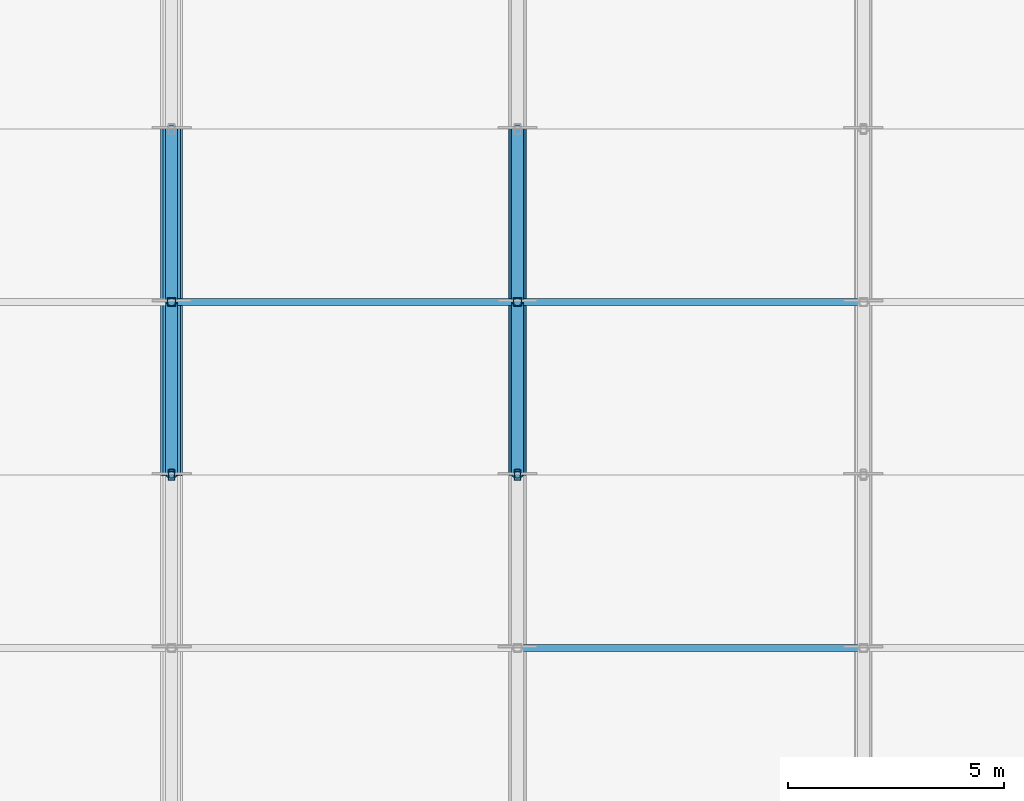
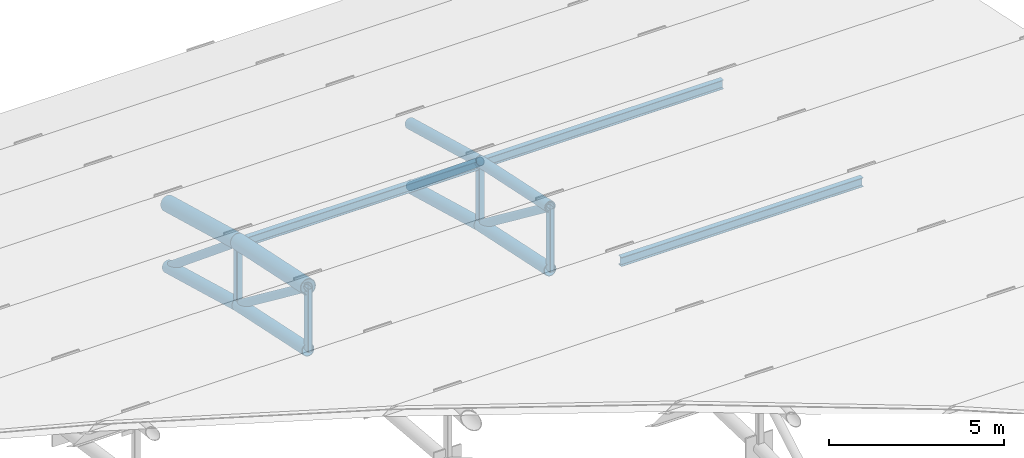
# One storey, part 52 of 98: 19 members.
"""IFC4 building model written with IfcOpenShell, lengths in metres."""

from ifc_helpers import new_model, si_unit, direction, frame, origin, origin_2d, place, context, subcontext, project, spatial, hollow_rectangle, hollow_circle, i_section, extrude, material, material_profile, profile_set, type_object, element, save


model = new_model("IFC4")

# Units and contexts
model_context = context("Model", 3, precision=1e-05, world=origin(), true_north=direction((0.0, 1.0)))
body_context = subcontext(model_context, "Body", "Model", "MODEL_VIEW")
ifc_project = project(units=[si_unit("LENGTHUNIT", "METRE"), si_unit("AREAUNIT", "SQUARE_METRE"), si_unit("VOLUMEUNIT", "CUBIC_METRE"), si_unit("PLANEANGLEUNIT", "RADIAN"), si_unit("MASSUNIT", "GRAM", prefix="KILO")], contexts=[model_context])

# Site, building, storey
site_placement = place(None, origin())
site = spatial("IfcSite", under=ifc_project, at=site_placement, CompositionType="ELEMENT")
building_placement = place(site_placement, origin())
building = spatial("IfcBuilding", under=site, at=building_placement, Name="Tlacozan Convention Centre", CompositionType="ELEMENT")
storey_placement = place(building_placement, frame((0.0, 0.0, 25.800048828125)))
storey = spatial("IfcBuildingStorey", under=building, at=storey_placement, Name="Roof", CompositionType="ELEMENT", Elevation=25.800048828125)

# Members
ifc_material_1 = material(Name="Steel ASTM A500 Grade C", Category="steel")
ifc_material_profile_1 = material_profile(ifc_material_1, hollow_circle(Radius=0.203125, WallThickness=0.015869140625, at=origin_2d()), Name="OC 406.4x15.9")
ifc_profile_set_1 = profile_set([ifc_material_profile_1], Name="Steel ASTM A500 Grade C")
member_type_1 = type_object("IfcMemberType", Name="Arch Bottom Chord OC 406.4x15.9", PredefinedType="CHORD", material=ifc_profile_set_1)
member_1_placement = place(storey_placement, frame((144.0, 106.0, -5.8671875), z_axis=(0.0, 0.978552953366, -0.205995430674), x_axis=(-1.0, 0.0, 0.0)))
element("IfcMember", 1, at=member_1_placement, inside=storey, type_object=member_type_1, Name="V2A Roof Truss 19 Bottom Chord 12", PredefinedType="CHORD", context=body_context, shape_type="SweptSolid", body=[
    extrude(hollow_circle(Radius=0.203125, WallThickness=0.015869140625, at=origin_2d()), origin(), (0.0, 0.0, 1.0), 4.087646484375),
])
member_2_placement = place(storey_placement, frame((144.0, 110.0, -6.709228515625), z_axis=(0.0, 0.964289609145, -0.26485005134), x_axis=(-1.0, 0.0, 0.0)))
element("IfcMember", 2, at=member_2_placement, inside=storey, type_object=member_type_1, Name="V2A Roof Truss 19 Bottom Chord 13", PredefinedType="CHORD", context=body_context, shape_type="SweptSolid", body=[
    extrude(hollow_circle(Radius=0.203125, WallThickness=0.015869140625, at=origin_2d()), origin(), (0.0, 0.0, 1.0), 4.148193359375),
])
member_3_placement = place(storey_placement, frame((152.0, 106.0, -5.8671875), z_axis=(0.0, 0.978552953366, -0.205995430674), x_axis=(-1.0, 0.0, 0.0)))
element("IfcMember", 3, at=member_3_placement, inside=storey, type_object=member_type_1, Name="V2A Roof Truss 20 Bottom Chord 12", PredefinedType="CHORD", context=body_context, shape_type="SweptSolid", body=[
    extrude(hollow_circle(Radius=0.203125, WallThickness=0.015869140625, at=origin_2d()), origin(), (0.0, 0.0, 1.0), 4.087646484375),
])
member_4_placement = place(storey_placement, frame((152.0, 110.0, -6.709228515625), z_axis=(0.0, 0.964289609145, -0.26485005134), x_axis=(-1.0, 0.0, 0.0)))
element("IfcMember", 4, at=member_4_placement, inside=storey, type_object=member_type_1, Name="V2A Roof Truss 20 Bottom Chord 13", PredefinedType="CHORD", context=body_context, shape_type="SweptSolid", body=[
    extrude(hollow_circle(Radius=0.203125, WallThickness=0.015869140625, at=origin_2d()), origin(), (0.0, 0.0, 1.0), 4.148193359375),
])
ifc_material_profile_2 = material_profile(ifc_material_1, hollow_circle(Radius=0.25390625, WallThickness=0.01904296875, at=origin_2d()), Name="OC 508.0x19.1")
ifc_profile_set_2 = profile_set([ifc_material_profile_2], Name="Steel ASTM A500 Grade C")
member_type_2 = type_object("IfcMemberType", Name="Arch Top Chord OC 508x19.1", PredefinedType="CHORD", material=ifc_profile_set_2)
member_5_placement = place(storey_placement, frame((144.0, 106.0, -3.667236328125), z_axis=(0.0, 0.978552953366, -0.205995430674), x_axis=(-1.0, 0.0, 0.0)))
element("IfcMember", 5, at=member_5_placement, inside=storey, type_object=member_type_2, Name="V2A Roof Truss 19 Top Chord 12", PredefinedType="CHORD", context=body_context, shape_type="SweptSolid", body=[
    extrude(hollow_circle(Radius=0.25390625, WallThickness=0.01904296875, at=origin_2d()), origin(), (0.0, 0.0, 1.0), 4.087646484375),
])
member_6_placement = place(storey_placement, frame((144.0, 110.0, -4.50927734375), z_axis=(0.0, 0.964304639076, -0.264795322949), x_axis=(-1.0, 0.0, 0.0)))
element("IfcMember", 6, at=member_6_placement, inside=storey, type_object=member_type_2, Name="V2A Roof Truss 19 Top Chord 13", PredefinedType="CHORD", context=body_context, shape_type="SweptSolid", body=[
    extrude(hollow_circle(Radius=0.25390625, WallThickness=0.01904296875, at=origin_2d()), origin(), (0.0, 0.0, 1.0), 4.14794921875),
])
ifc_material_profile_3 = material_profile(ifc_material_1, hollow_circle(Radius=0.136474609375, WallThickness=0.0126953125, at=origin_2d()), Name="OC 273.1x12.7")
ifc_profile_set_3 = profile_set([ifc_material_profile_3], Name="Steel ASTM A500 Grade C")
member_type_3 = type_object("IfcMemberType", Name="Arch Web Diagonal OC 273.1x12.7", PredefinedType="BRACE", material=ifc_profile_set_3)
member_7_placement = place(storey_placement, frame((144.0, 106.0, -3.667236328125), z_axis=(0.0, 0.795971176065, -0.605334524766), x_axis=(-1.0, 0.0, 0.0)))
element("IfcMember", 7, at=member_7_placement, inside=storey, type_object=member_type_3, Name="V2A Roof Truss 19 Web Diagonal 12", PredefinedType="BRACE", context=body_context, shape_type="SweptSolid", body=[
    extrude(hollow_circle(Radius=0.136474609375, WallThickness=0.0126953125, at=origin_2d()), origin(), (0.0, 0.0, 1.0), 5.025390625),
])
member_8_placement = place(storey_placement, frame((144.0, 110.0, -4.50927734375), z_axis=(0.0, 0.771507331308, -0.63622043172), x_axis=(-1.0, 0.0, 0.0)))
element("IfcMember", 8, at=member_8_placement, inside=storey, type_object=member_type_3, Name="V2A Roof Truss 19 Web Diagonal 13", PredefinedType="BRACE", context=body_context, shape_type="SweptSolid", body=[
    extrude(hollow_circle(Radius=0.136474609375, WallThickness=0.0126953125, at=origin_2d()), origin(), (0.0, 0.0, 1.0), 5.1845703125),
])
member_9_placement = place(storey_placement, frame((152.0, 106.0, -3.667236328125), z_axis=(0.0, 0.795971176065, -0.605334524766), x_axis=(-1.0, 0.0, 0.0)))
element("IfcMember", 9, at=member_9_placement, inside=storey, type_object=member_type_3, Name="V2A Roof Truss 20 Web Diagonal 12", PredefinedType="BRACE", context=body_context, shape_type="SweptSolid", body=[
    extrude(hollow_circle(Radius=0.136474609375, WallThickness=0.0126953125, at=origin_2d()), origin(), (0.0, 0.0, 1.0), 5.025390625),
])
member_10_placement = place(storey_placement, frame((152.0, 110.0, -4.50927734375), z_axis=(0.0, 0.771507331308, -0.63622043172), x_axis=(-1.0, 0.0, 0.0)))
element("IfcMember", 10, at=member_10_placement, inside=storey, type_object=member_type_3, Name="V2A Roof Truss 20 Web Diagonal 13", PredefinedType="BRACE", context=body_context, shape_type="SweptSolid", body=[
    extrude(hollow_circle(Radius=0.136474609375, WallThickness=0.0126953125, at=origin_2d()), origin(), (0.0, 0.0, 1.0), 5.1845703125),
])
ifc_material_profile_4 = material_profile(ifc_material_1, hollow_rectangle(XDim=0.203125, YDim=0.203125, WallThickness=0.0126953125, InnerFilletRadius=0.0126953125, OuterFilletRadius=0.02490234375, at=origin_2d()), Name="OR 203x203x12.7")
ifc_profile_set_4 = profile_set([ifc_material_profile_4], Name="Steel ASTM A500 Grade C")
member_type_4 = type_object("IfcMemberType", Name="Arch Web Strut OR 203x203x12.7", PredefinedType="STRUT", material=ifc_profile_set_4)
for number, where, z_axis, x_axis, name in (
    (11, (144.0, 110.0, -6.709228515625), (0.0, 0.0, 1.0), (1.0, 0.0, 0.0), "V2A Roof Truss 19 Vertical Strut 13"),
    (12, (152.0, 110.0, -6.709228515625), (0.0, 0.0, 1.0), (1.0, 0.0, 0.0), "V2A Roof Truss 20 Vertical Strut 13"),
):
    element("IfcMember", number, at=place(storey_placement, frame(where, z_axis=z_axis, x_axis=x_axis)), inside=storey, type_object=member_type_4, Name=name, PredefinedType="STRUT", context=body_context, shape_type="SweptSolid", body=[
        extrude(hollow_rectangle(XDim=0.203125, YDim=0.203125, WallThickness=0.0126953125, InnerFilletRadius=0.0126953125, OuterFilletRadius=0.02490234375, at=origin_2d()), origin(), (0.0, 0.0, 1.0), 2.199951171875),
    ])
ifc_material_2 = material(Name="Steel ASTM A992 Grade 50", Category="steel")
ifc_material_profile_5 = material_profile(ifc_material_2, i_section(OverallWidth=0.1669921875, OverallDepth=0.31689453125, WebThickness=0.007568359375, FlangeThickness=0.01318359375, FilletRadius=0.010009765625, at=origin_2d()), Name="IR 305x52.2")
ifc_profile_set_5 = profile_set([ifc_material_profile_5], Name="Steel ASTM A992 Grade 50")
member_type_5 = type_object("IfcMemberType", Name="Roof Purlin IR 305x52.2", PredefinedType="PURLIN", material=ifc_profile_set_5)
for number, where, z_axis, x_axis, name in (
    (13, (144.0, 110.0, -4.57421875), (1.0, 0.0, 0.0), (0.0, 1.0, 0.0), "V2A Roof Truss Purlin 19.13"),
    (14, (152.0, 102.0, -3.13720703125), (1.0, 0.0, 0.0), (0.0, 1.0, 0.0), "V2A Roof Truss Purlin 20.11"),
    (15, (152.0, 110.0, -4.57421875), (1.0, 0.0, 0.0), (0.0, 1.0, 0.0), "V2A Roof Truss Purlin 20.13"),
):
    element("IfcMember", number, at=place(storey_placement, frame(where, z_axis=z_axis, x_axis=x_axis)), inside=storey, type_object=member_type_5, Name=name, PredefinedType="PURLIN", context=body_context, shape_type="SweptSolid", body=[
        extrude(i_section(OverallWidth=0.1669921875, OverallDepth=0.31689453125, WebThickness=0.007568359375, FlangeThickness=0.01318359375, FilletRadius=0.010009765625, at=origin_2d()), origin(), (0.0, 0.0, 1.0), 8.0),
    ])
ifc_material_profile_6 = material_profile(ifc_material_1, hollow_circle(Radius=0.177734375, WallThickness=0.015869140625, at=origin_2d()), Name="OC 355.6x15.9")
ifc_profile_set_6 = profile_set([ifc_material_profile_6], Name="Steel ASTM A500 Grade C")
member_type_6 = type_object("IfcMemberType", Name="Secondary Arch Chord OC 355.6x15.9", PredefinedType="CHORD", material=ifc_profile_set_6)
member_11_placement = place(storey_placement, frame((152.0, 106.0, -3.667236328125), z_axis=(0.0, 0.978552953366, -0.205995430674), x_axis=(-1.0, 0.0, 0.0)))
element("IfcMember", 16, at=member_11_placement, inside=storey, type_object=member_type_6, Name="V2A Roof Truss 20 Top Chord 12", PredefinedType="CHORD", context=body_context, shape_type="SweptSolid", body=[
    extrude(hollow_circle(Radius=0.177734375, WallThickness=0.015869140625, at=origin_2d()), origin(), (0.0, 0.0, 1.0), 4.087646484375),
])
member_12_placement = place(storey_placement, frame((152.0, 110.0, -4.50927734375), z_axis=(0.0, 0.964304639076, -0.264795322949), x_axis=(-1.0, 0.0, 0.0)))
element("IfcMember", 17, at=member_12_placement, inside=storey, type_object=member_type_6, Name="V2A Roof Truss 20 Top Chord 13", PredefinedType="CHORD", context=body_context, shape_type="SweptSolid", body=[
    extrude(hollow_circle(Radius=0.177734375, WallThickness=0.015869140625, at=origin_2d()), origin(), (0.0, 0.0, 1.0), 4.14794921875),
])
ifc_material_profile_7 = material_profile(ifc_material_1, hollow_rectangle(XDim=0.15234375, YDim=0.25390625, WallThickness=0.0126953125, InnerFilletRadius=0.0126953125, OuterFilletRadius=0.02490234375, at=origin_2d()), Name="OR 254x152x12.7")
ifc_profile_set_7 = profile_set([ifc_material_profile_7], Name="Steel ASTM A500 Grade C")
member_type_7 = type_object("IfcMemberType", Name="Truss Secondary Strut OR 254x152x12.7", PredefinedType="STRUT", material=ifc_profile_set_7)
for number, where, z_axis, x_axis, name in (
    (18, (144.0, 106.0, -5.8671875), (0.0, 0.0, 1.0), (1.0, 0.0, 0.0), "V2A Roof Truss 19 Vertical Strut 12"),
    (19, (152.0, 106.0, -5.8671875), (0.0, 0.0, 1.0), (1.0, 0.0, 0.0), "V2A Roof Truss 20 Vertical Strut 12"),
):
    element("IfcMember", number, at=place(storey_placement, frame(where, z_axis=z_axis, x_axis=x_axis)), inside=storey, type_object=member_type_7, Name=name, PredefinedType="STRUT", context=body_context, shape_type="SweptSolid", body=[
        extrude(hollow_rectangle(XDim=0.15234375, YDim=0.25390625, WallThickness=0.0126953125, InnerFilletRadius=0.0126953125, OuterFilletRadius=0.02490234375, at=origin_2d()), origin(), (0.0, 0.0, 1.0), 2.199951171875),
    ])

save(model, "model.ifc")
